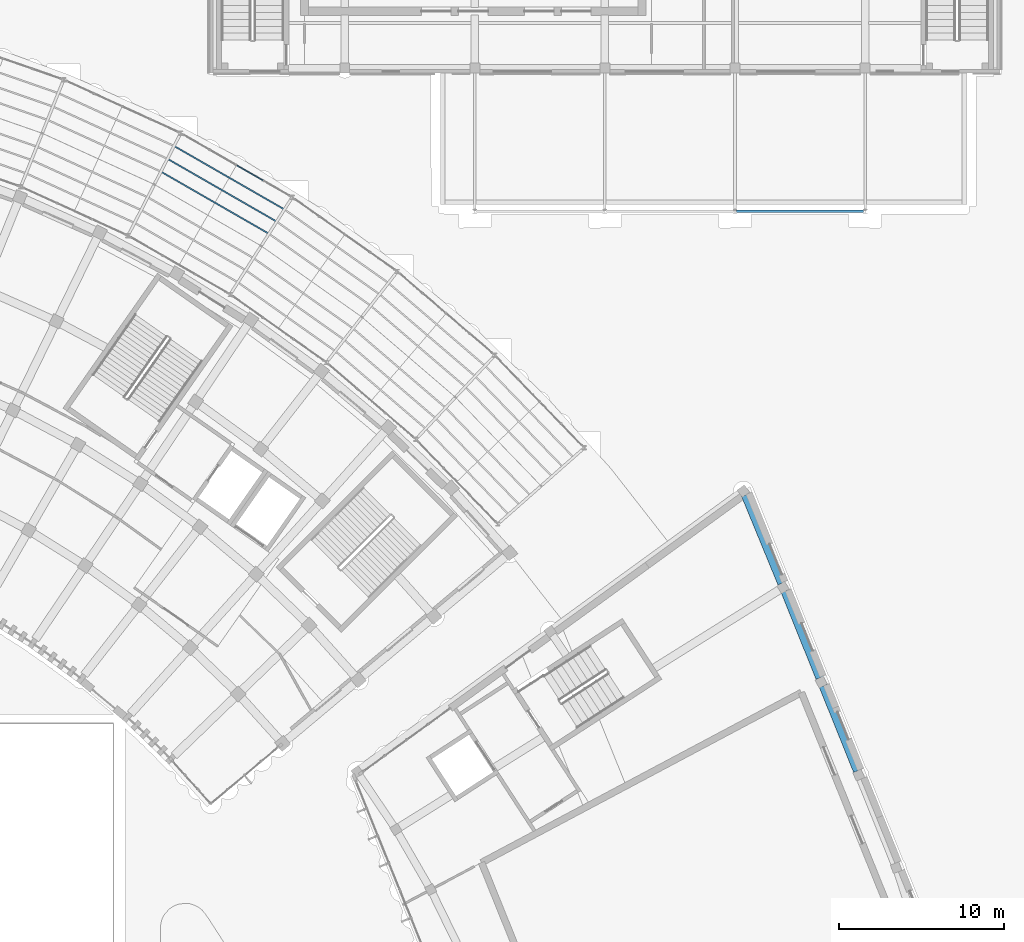
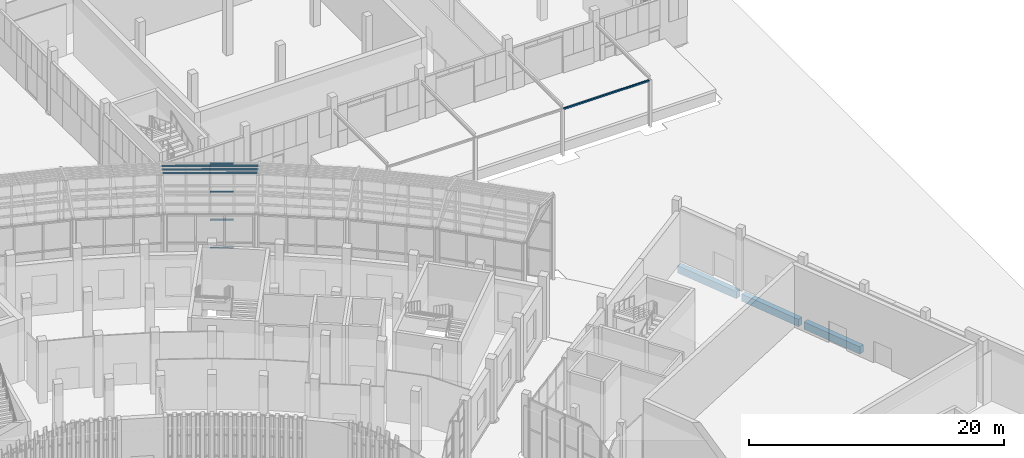
# One storey, part 58 of 155: 7 members, 4 beams, 1 element without a shape of its own.
"""IFC4 building model written with IfcOpenShell, lengths in metres."""

from ifc_helpers import new_model, si_unit, direction, frame, origin, origin_2d, place, context, subcontext, project, spatial, rectangle, hollow_rectangle, i_section, extrude, material, layer, layer_set, material_profile, profile_set, type_object, element, aggregate, save


model = new_model("IFC4")

# Units and contexts
model_context = context("Model", 3, precision=1e-05, world=origin(), true_north=direction((0.0, 1.0)))
body_context = subcontext(model_context, "Body", "Model", "MODEL_VIEW")
ifc_project = project(units=[si_unit("LENGTHUNIT", "METRE"), si_unit("AREAUNIT", "SQUARE_METRE"), si_unit("VOLUMEUNIT", "CUBIC_METRE"), si_unit("PLANEANGLEUNIT", "RADIAN"), si_unit("MASSUNIT", "GRAM", prefix="KILO")], contexts=[model_context])

# Site, building, storey
site_placement = place(None, origin())
site = spatial("IfcSite", under=ifc_project, at=site_placement, CompositionType="ELEMENT")
building_placement = place(site_placement, origin())
building = spatial("IfcBuilding", under=site, at=building_placement, Name="Lunette Opera House", CompositionType="ELEMENT")
storey_placement = place(building_placement, origin())
storey = spatial("IfcBuildingStorey", under=building, at=storey_placement, Name="L00", CompositionType="ELEMENT", Elevation=0.0)

# Members
ifc_material_1 = material(Name="Steel S355", Category="steel")
ifc_material_profile_1 = material_profile(ifc_material_1, i_section(OverallWidth=0.08203125, OverallDepth=0.159912109375, WebThickness=0.0048828125, FlangeThickness=0.00732421875, FilletRadius=0.009033203125, at=origin_2d()), Name="IPE 160")
ifc_profile_set_1 = profile_set([ifc_material_profile_1], Name="Steel S355")
member_type_1 = type_object("IfcMemberType", Name="PURLIN IPE 160", PredefinedType="PURLIN", material=ifc_profile_set_1)
member_1_placement = place(storey_placement, frame((133.83203125, 73.568115234375, 8.47509765625), z_axis=(0.86691483093, -0.498456292882, 0.0), x_axis=(0.498456292882, 0.86691483093, 0.0)))
element("IfcMember", 1, at=member_1_placement, inside=storey, type_object=member_type_1, Name="mem-PP-L00-PU7B1", PredefinedType="PURLIN", context=body_context, shape_type="SweptSolid", body=[
    extrude(i_section(OverallWidth=0.08203125, OverallDepth=0.159912109375, WebThickness=0.0048828125, FlangeThickness=0.00732421875, FilletRadius=0.009033203125, at=origin_2d()), origin(), (0.0, 0.0, 1.0), 7.73193359375),
])
member_2_placement = place(storey_placement, frame((133.431884765625, 72.7900390625, 8.75), z_axis=(0.866876998102, -0.498522085932, 0.0), x_axis=(0.498522085932, 0.866876998102, 0.0)))
element("IfcMember", 2, at=member_2_placement, inside=storey, type_object=member_type_1, Name="mem-PP-L00-PU7B2", PredefinedType="PURLIN", context=body_context, shape_type="SweptSolid", body=[
    extrude(i_section(OverallWidth=0.08203125, OverallDepth=0.159912109375, WebThickness=0.0048828125, FlangeThickness=0.00732421875, FilletRadius=0.009033203125, at=origin_2d()), origin(), (0.0, 0.0, 1.0), 7.650634765625),
])
member_3_placement = place(storey_placement, frame((133.031982421875, 72.011962890625, 9.02490234375), z_axis=(0.866886090317, -0.498506275201, 0.0), x_axis=(0.498506275201, 0.866886090317, 0.0)))
element("IfcMember", 3, at=member_3_placement, inside=storey, type_object=member_type_1, Name="mem-PP-L00-PU7B3", PredefinedType="PURLIN", context=body_context, shape_type="SweptSolid", body=[
    extrude(i_section(OverallWidth=0.08203125, OverallDepth=0.159912109375, WebThickness=0.0048828125, FlangeThickness=0.00732421875, FilletRadius=0.009033203125, at=origin_2d()), origin(), (0.0, 0.0, 1.0), 7.568603515625),
])

# Beams
ifc_material_2 = material(Name="Concrete C35/45", Category="concrete")
ifc_material_profile_2 = material_profile(ifc_material_2, rectangle(XDim=0.449951171875, YDim=0.699951171875, at=origin_2d()), Name="RC BEAM 450X700")
ifc_profile_set_2 = profile_set([ifc_material_profile_2], Name="Concrete C35/45")
beam_type_1 = type_object("IfcBeamType", Name="RC BEAM 450X700", PredefinedType="BEAM", material=ifc_profile_set_2)
beam_1_placement = place(storey_placement, frame((168.508056640625, 52.362060546875, -0.570068359375), z_axis=(0.380730757581, -0.924685941405, 0.0), x_axis=(0.924685941405, 0.380730757581, 0.0)))
element("IfcBeam", 4, at=beam_1_placement, inside=storey, type_object=beam_type_1, Name="beam-SB-L00-L00-RG20", PredefinedType="BEAM", context=body_context, shape_type="SweptSolid", body=[
    extrude(rectangle(XDim=0.449951171875, YDim=0.699951171875, at=origin_2d()), origin(), (0.0, 0.0, 1.0), 5.802001953125),
])
beam_2_placement = place(storey_placement, frame((170.91796875, 46.506103515625, -0.570068359375), z_axis=(0.373792337648, -0.927512419494, 0.0), x_axis=(0.927512419494, 0.373792337648, 0.0)))
element("IfcBeam", 5, at=beam_2_placement, inside=storey, type_object=beam_type_1, Name="beam-SB-L00-L00-RG21", PredefinedType="BEAM", context=body_context, shape_type="SweptSolid", body=[
    extrude(rectangle(XDim=0.449951171875, YDim=0.699951171875, at=origin_2d()), origin(), (0.0, 0.0, 1.0), 5.658203125),
])
beam_3_placement = place(storey_placement, frame((173.23193359375, 40.76611328125, -0.570068359375), z_axis=(0.374141105341, -0.927371788063, 0.0), x_axis=(0.927371788063, 0.374141105341, 0.0)))
element("IfcBeam", 6, at=beam_3_placement, inside=storey, type_object=beam_type_1, Name="beam-SB-L00-L00-RG22", PredefinedType="BEAM", context=body_context, shape_type="SweptSolid", body=[
    extrude(rectangle(XDim=0.449951171875, YDim=0.699951171875, at=origin_2d()), origin(), (0.0, 0.0, 1.0), 5.5673828125),
])
ifc_material_3 = material(Name="Steel S355", Category="steel")
ifc_material_profile_3 = material_profile(ifc_material_3, hollow_rectangle(XDim=0.14990234375, YDim=0.14990234375, WallThickness=0.008056640625, InnerFilletRadius=0.008056640625, OuterFilletRadius=0.01611328125, at=origin_2d()), Name="RHS 150X150X8")
ifc_profile_set_3 = profile_set([ifc_material_profile_3], Name="Steel S355")
beam_type_2 = type_object("IfcBeamType", Name="STEEL BEAM RHS 150X150X8", PredefinedType="BEAM", material=ifc_profile_set_3)
beam_4_placement = place(storey_placement, frame((168.0, 69.60009765625, 4.39501953125), z_axis=(1.0, 0.0, 0.0), x_axis=(0.0, 1.0, 0.0)))
element("IfcBeam", 7, at=beam_4_placement, inside=storey, type_object=beam_type_2, Name="beam-WW-L00-DCE3", PredefinedType="BEAM", context=body_context, shape_type="SweptSolid", body=[
    extrude(hollow_rectangle(XDim=0.14990234375, YDim=0.14990234375, WallThickness=0.008056640625, InnerFilletRadius=0.008056640625, OuterFilletRadius=0.01611328125, at=origin_2d()), origin(), (0.0, 0.0, 1.0), 7.699951171875),
])

# Curtain wall, members
ifc_material_4 = material(Name="Aluminium", Category="aluminium")
ifc_layer = layer(ifc_material_4, 0.139892578125)
ifc_layer_set = layer_set([ifc_layer], Name="Aluminium")
curtain_wall_type = type_object("IfcCurtainWallType", Name="PASSAGE CURTAIN WALL", PredefinedType="NOTDEFINED", material=ifc_layer_set)
curtain_wall_placement = place(storey_placement, origin())
curtain_wall = element("IfcCurtainWall", 8, at=curtain_wall_placement, inside=storey, type_object=curtain_wall_type, Name="Passage Curtain Wall EO3 L00", PredefinedType="NOTDEFINED")
ifc_material_5 = material(Name="Aluminium", Category="aluminium")
ifc_material_profile_4 = material_profile(ifc_material_5, rectangle(XDim=0.06005859375, YDim=0.139892578125, at=origin_2d()), Name="TRANSOM 60 X 140")
ifc_profile_set_4 = profile_set([ifc_material_profile_4], Name="Aluminium")
member_type_2 = type_object("IfcMemberType", Name="TRANSOM 60 X 140", PredefinedType="USERDEFINED", material=ifc_profile_set_4)
member_4_placement = place(storey_placement, frame((137.64501953125, 72.383544921875, 0.030029296875), z_axis=(0.866951264859, -0.498392921659, 0.0), x_axis=(0.498392921659, 0.866951264859, 0.0)))
member_4 = element("IfcMember", 9, at=member_4_placement, type_object=member_type_2, Name="PP-X2009 transom 3.1", ObjectType="TRANSOM", PredefinedType="USERDEFINED", context=body_context, shape_type="SweptSolid", body=[
    extrude(rectangle(XDim=0.06005859375, YDim=0.139892578125, at=origin_2d()), origin(), (0.0, 0.0, 1.0), 1.818359375),
])
member_5_placement = place(storey_placement, frame((137.64501953125, 72.383544921875, 2.699951171875), z_axis=(0.866951264859, -0.498392921659, 0.0), x_axis=(0.498392921659, 0.866951264859, 0.0)))
member_5 = element("IfcMember", 10, at=member_5_placement, type_object=member_type_2, Name="PP-X2009 transom 3.2", ObjectType="TRANSOM", PredefinedType="USERDEFINED", context=body_context, shape_type="SweptSolid", body=[
    extrude(rectangle(XDim=0.06005859375, YDim=0.139892578125, at=origin_2d()), origin(), (0.0, 0.0, 1.0), 1.818359375),
])
member_6_placement = place(storey_placement, frame((137.64501953125, 72.383544921875, 5.39990234375), z_axis=(0.866951264859, -0.498392921659, 0.0), x_axis=(0.498392921659, 0.866951264859, 0.0)))
member_6 = element("IfcMember", 11, at=member_6_placement, type_object=member_type_2, Name="PP-X2009 transom 3.3", ObjectType="TRANSOM", PredefinedType="USERDEFINED", context=body_context, shape_type="SweptSolid", body=[
    extrude(rectangle(XDim=0.06005859375, YDim=0.139892578125, at=origin_2d()), origin(), (0.0, 0.0, 1.0), 1.818359375),
])
member_7_placement = place(storey_placement, frame((137.64501953125, 72.383544921875, 8.070068359375), z_axis=(0.866951264859, -0.498392921659, 0.0), x_axis=(0.498392921659, 0.866951264859, 0.0)))
member_7 = element("IfcMember", 12, at=member_7_placement, type_object=member_type_2, Name="PP-X2009 transom 3.4", ObjectType="TRANSOM", PredefinedType="USERDEFINED", context=body_context, shape_type="SweptSolid", body=[
    extrude(rectangle(XDim=0.06005859375, YDim=0.139892578125, at=origin_2d()), origin(), (0.0, 0.0, 1.0), 1.818359375),
])
aggregate(curtain_wall, [member_4, member_5, member_6, member_7])

save(model, "model.ifc")
